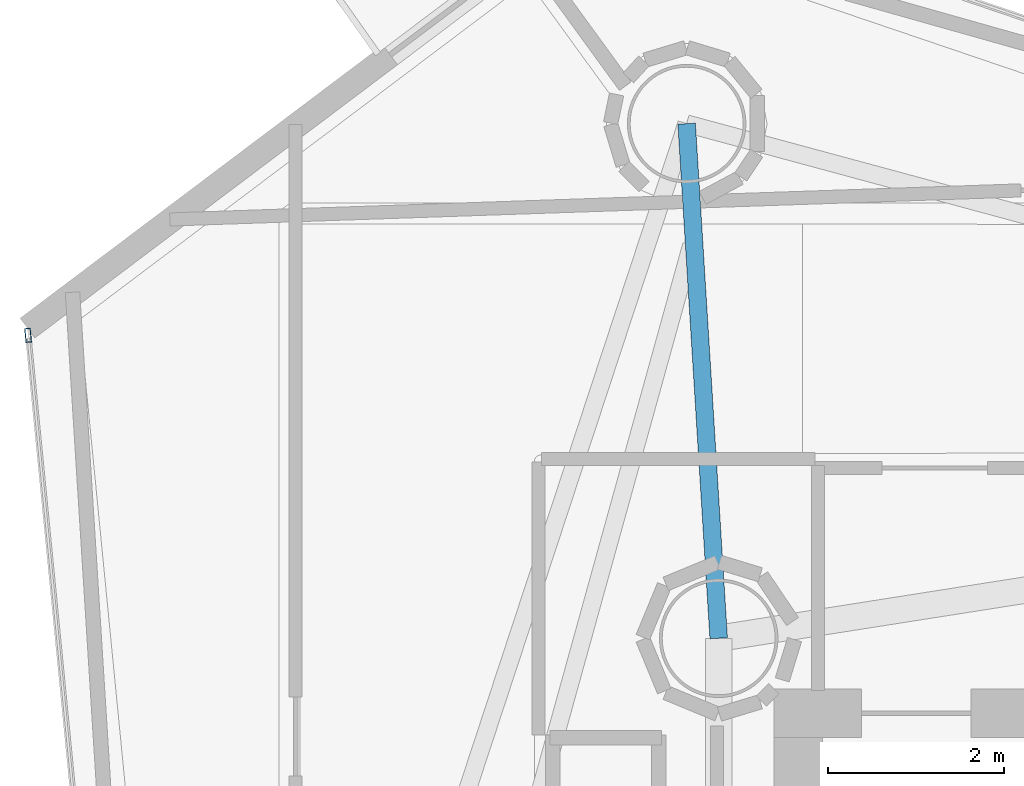
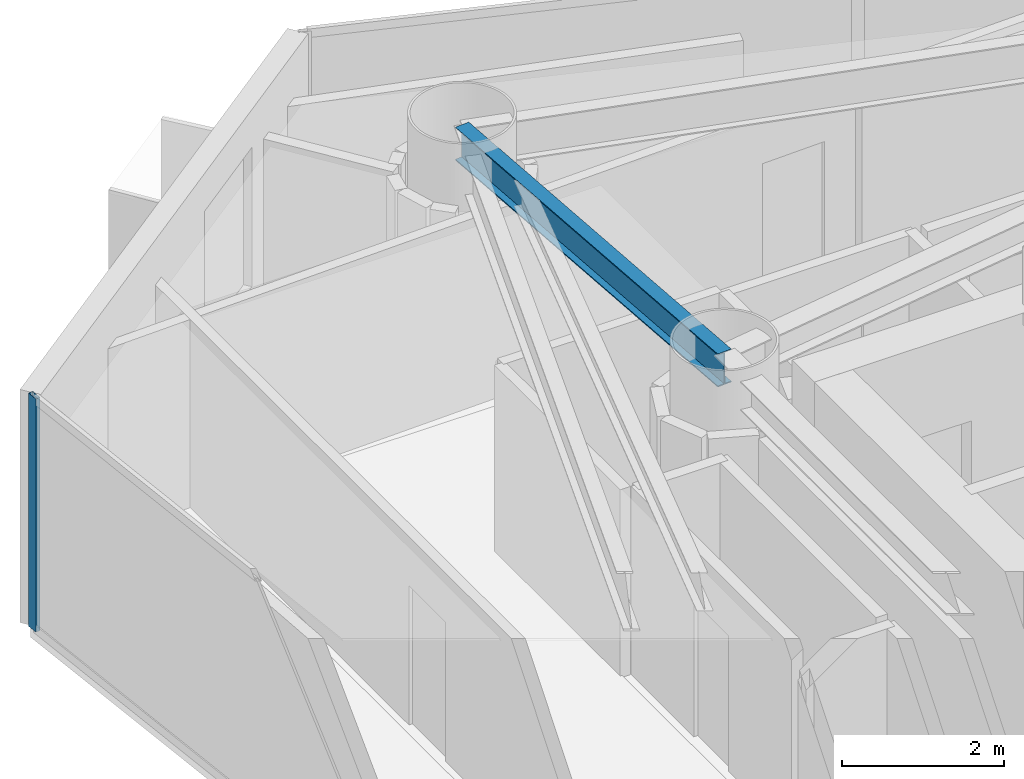
# One storey, part 11 of 22: 1 beam, 1 member, 1 element without a shape of its own.
"""IFC4 building model written with IfcOpenShell, lengths in metres."""

import ifcopenshell
import ifcopenshell.guid

model = None  # the IFC model being written
_history = None  # IfcOwnerHistory: only IFC2X3 demands one
_inside = {}  # id of a spatial element -> (the spatial element, [elements in it])
_under = {}  # id of a project, library or spatial element -> (it, [spatial elements below it])
_declared = {}  # id of a project -> (the project, [libraries it declares])
_typed = {}  # id of a type object -> (the type object, [elements of that type])
_made_of = {}  # id of a material, layer set ... -> (it, [elements and type objects made of it])


def new_model(schema):
    """Start an empty IFC model of exactly this schema.

    Asked for "IFC4X3", IfcOpenShell would pick the latest addendum, in which some entities
    have other attributes; the version numbers below select the first issue.
    IFC2X3 requires an IfcOwnerHistory on every rooted entity: one is made here for all.
    """
    global model, _history
    if schema == "IFC4X3":
        model = ifcopenshell.file(schema_version=(4, 3, 0, 0))
    else:
        model = ifcopenshell.file(schema=schema)
    _inside.clear()
    _under.clear()
    _declared.clear()
    _typed.clear()
    _made_of.clear()
    _history = None
    if model.schema == "IFC2X3":
        org = make("IfcOrganization", Name="unknown")
        user = make(
            "IfcPersonAndOrganization",
            ThePerson=make("IfcPerson", FamilyName="unknown"),
            TheOrganization=org,
        )
        app = make(
            "IfcApplication",
            ApplicationDeveloper=org,
            Version="unknown",
            ApplicationFullName="unknown",
            ApplicationIdentifier="unknown",
        )
        _history = make(
            "IfcOwnerHistory",
            OwningUser=user,
            OwningApplication=app,
            ChangeAction="ADDED",
            CreationDate=0,
        )
    return model


def make(cls, **values):
    """One entity of the class cls with the attributes given. An attribute that is None is left unset."""
    return model.create_entity(
        cls, **{name: value for name, value in values.items() if value is not None}
    )


def rooted(cls, **values):
    """An entity with a GlobalId (a new one), such as an element, a storey or a relation."""
    return make(cls, GlobalId=ifcopenshell.guid.new(), OwnerHistory=_history, **values)


def si_unit(unit_type, name, prefix=None):
    """IfcSIUnit, for example si_unit("LENGTHUNIT", "METRE", prefix="MILLI")."""
    return make("IfcSIUnit", UnitType=unit_type, Prefix=prefix, Name=name)


def assignment(units):
    """IfcUnitAssignment: the units of a project."""
    return None if units is None else make("IfcUnitAssignment", Units=units)


def point(xyz):
    """IfcCartesianPoint."""
    return None if xyz is None else make("IfcCartesianPoint", Coordinates=xyz)


def direction(xyz):
    """IfcDirection."""
    return None if xyz is None else make("IfcDirection", DirectionRatios=xyz)


def frame(location, z_axis=None, x_axis=None):
    """IfcAxis2Placement3D, a coordinate frame: its origin and axes. An axis left out is left unset."""
    return make(
        "IfcAxis2Placement3D",
        Location=point(location),
        Axis=direction(z_axis),
        RefDirection=direction(x_axis),
    )


def frame_2d(location, x_axis=None):
    """IfcAxis2Placement2D, a coordinate frame in the plane: its origin and x axis."""
    return make(
        "IfcAxis2Placement2D", Location=point(location), RefDirection=direction(x_axis)
    )


def origin():
    """The frame at (0, 0, 0) with its axes left unset."""
    return frame((0.0, 0.0, 0.0))


def origin_2d():
    """The frame at (0, 0) in the plane with its x axis left unset."""
    return frame_2d((0.0, 0.0))


def place(relative_to, where):
    """IfcLocalPlacement: puts the frame where relative to a parent placement (None: the world)."""
    return make(
        "IfcLocalPlacement", PlacementRelTo=relative_to, RelativePlacement=where
    )


def context(
    kind, dimensions, precision=None, world=None, true_north=None, identifier=None
):
    """IfcGeometricRepresentationContext, for example the 3D "Model" context."""
    return make(
        "IfcGeometricRepresentationContext",
        ContextIdentifier=identifier,
        ContextType=kind,
        CoordinateSpaceDimension=dimensions,
        Precision=precision,
        WorldCoordinateSystem=world,
        TrueNorth=true_north,
    )


def subcontext(parent, identifier, kind, view, scale=None):
    """IfcGeometricRepresentationSubContext, for example "Body" below "Model"."""
    return make(
        "IfcGeometricRepresentationSubContext",
        ContextIdentifier=identifier,
        ContextType=kind,
        ParentContext=parent,
        TargetScale=scale,
        TargetView=view,
    )


def project(units=None, contexts=None):
    """IfcProject with its units and contexts."""
    return rooted(
        "IfcProject",
        Name="project",
        RepresentationContexts=contexts,
        UnitsInContext=assignment(units),
    )


def spatial(cls, under=None, at=None, **own):
    """A site, building, storey or space (cls), placed at a placement, below another one or the project."""
    s = rooted(cls, ObjectPlacement=at, **own)
    if under is not None:
        _under.setdefault(under.id(), (under, []))[1].append(s)
    return s


def profile(cls, at=None, kind="AREA", **sizes):
    """A parametric profile (cls). Its sizes go by their IFC names, for example OverallWidth=200.0."""
    return make(cls, ProfileType=kind, Position=at, **sizes)


def hollow_rectangle(**sizes):
    """IfcRectangleHollowProfileDef."""
    return profile("IfcRectangleHollowProfileDef", **sizes)


def i_section(**sizes):
    """IfcIShapeProfileDef."""
    return profile("IfcIShapeProfileDef", **sizes)


def extrude(swept, where, along, depth):
    """IfcExtrudedAreaSolid: the profile swept, set in the frame where, extruded along a direction by depth."""
    return make(
        "IfcExtrudedAreaSolid",
        SweptArea=swept,
        Position=where,
        ExtrudedDirection=direction(along),
        Depth=depth,
    )


def shape(context_of_items, identifier, shape_type, items):
    """IfcShapeRepresentation: the items that make up one representation, for example the "Body"."""
    return make(
        "IfcShapeRepresentation",
        ContextOfItems=context_of_items,
        RepresentationIdentifier=identifier,
        RepresentationType=shape_type,
        Items=items,
    )


def material(Name=None, Category=None):
    """IfcMaterial."""
    return make("IfcMaterial", Name=Name, Category=Category)


def layer(
    of_material, thickness, ventilated=None, Name=None, Category=None, Priority=None
):
    """IfcMaterialLayer: one layer of a wall or slab, of a material (None: an air gap)."""
    return make(
        "IfcMaterialLayer",
        Material=of_material,
        LayerThickness=thickness,
        IsVentilated=ventilated,
        Name=Name,
        Category=Category,
        Priority=Priority,
    )


def layer_set(layers, Name=None):
    """IfcMaterialLayerSet."""
    return make("IfcMaterialLayerSet", MaterialLayers=layers, LayerSetName=Name)


def material_profile(
    of_material, cross_section, Name=None, Category=None, Priority=None
):
    """IfcMaterialProfile: a cross section and its material."""
    return make(
        "IfcMaterialProfile",
        Name=Name,
        Material=of_material,
        Profile=cross_section,
        Priority=Priority,
        Category=Category,
    )


def profile_set(profiles, Name=None, composite=None):
    """IfcMaterialProfileSet."""
    return make(
        "IfcMaterialProfileSet",
        Name=Name,
        MaterialProfiles=profiles,
        CompositeProfile=composite,
    )


def made_of(thing, what):
    """Note that an element or type object is made of a material, layer set ...; save() writes the relation."""
    if what is not None:
        _made_of.setdefault(what.id(), (what, []))[1].append(thing)
    return thing


def type_object(cls, material=None, **own):
    """A type object (cls), such as IfcWallType, which elements share."""
    return made_of(rooted(cls, **own), material)


def element(
    cls,
    number,
    at=None,
    inside=None,
    cuts=None,
    type_object=None,
    material=None,
    context=None,
    identifier="Body",
    shape_type=None,
    held_by="IfcProductDefinitionShape",
    body=None,
    shapes=None,
    **own,
):
    """One element of the class cls, such as IfcWall. Its Tag is "e" and its number.

    at: its placement. inside: the storey or other place that contains it. cuts: it is an
    opening in that element (IfcRelVoidsElement). A single representation is given by context,
    identifier, shape_type and body (its items); several are given by shapes. held_by: the class
    of the entity that holds the representations. save() writes the other relations.
    """
    e = rooted(cls, Tag="e%d" % number, ObjectPlacement=at, **own)
    if body is not None:
        shapes = [shape(context, identifier, shape_type, body)]
    if shapes is not None:
        e.Representation = make(held_by, Representations=shapes)
    if inside is not None:
        _inside.setdefault(inside.id(), (inside, []))[1].append(e)
    if cuts is not None:
        rooted(
            "IfcRelVoidsElement", RelatingBuildingElement=cuts, RelatedOpeningElement=e
        )
    if type_object is not None:
        _typed.setdefault(type_object.id(), (type_object, []))[1].append(e)
    return made_of(e, material)


def aggregate(whole, parts):
    """IfcRelAggregates: a whole, such as a stair, and the parts it consists of."""
    return rooted("IfcRelAggregates", RelatingObject=whole, RelatedObjects=parts)


def save(model, path):
    """Write the relations noted so far, then the file.

    IfcRelAggregates (storeys below a building ...), IfcRelContainedInSpatialStructure (elements
    in a storey), IfcRelDefinesByType, IfcRelAssociatesMaterial and IfcRelDeclares: one each for
    every whole, place, type object, material and project.
    """
    for whole, parts in _under.values():
        aggregate(whole, parts)
    for where, things in _inside.values():
        rooted(
            "IfcRelContainedInSpatialStructure",
            RelatedElements=things,
            RelatingStructure=where,
        )
    for kind, things in _typed.values():
        rooted("IfcRelDefinesByType", RelatedObjects=things, RelatingType=kind)
    for what, things in _made_of.values():
        rooted("IfcRelAssociatesMaterial", RelatedObjects=things, RelatingMaterial=what)
    for by, libraries in _declared.values():
        rooted("IfcRelDeclares", RelatingContext=by, RelatedDefinitions=libraries)
    model.write(path)


model = new_model("IFC4")

# Units and contexts
model_context = context("Model", 3, precision=1e-05, world=origin(), true_north=direction((0.0, 1.0)))
body_context = subcontext(model_context, "Body", "Model", "MODEL_VIEW")
ifc_project = project(units=[si_unit("LENGTHUNIT", "METRE"), si_unit("AREAUNIT", "SQUARE_METRE"), si_unit("VOLUMEUNIT", "CUBIC_METRE"), si_unit("PLANEANGLEUNIT", "RADIAN"), si_unit("MASSUNIT", "GRAM", prefix="KILO")], contexts=[model_context])

# Site, building, storey
site_placement = place(None, origin())
site = spatial("IfcSite", under=ifc_project, at=site_placement, CompositionType="ELEMENT")
building_placement = place(site_placement, origin())
building = spatial("IfcBuilding", under=site, at=building_placement, Name="Qianvela Tower", CompositionType="ELEMENT")
storey_placement = place(building_placement, frame((0.0, 0.0, 169.800048828125)))
storey = spatial("IfcBuildingStorey", under=building, at=storey_placement, Name="L43", CompositionType="ELEMENT", Elevation=169.800048828125)

# Beam
ifc_material_1 = material(Name="Steel Q355B", Category="steel")
ifc_material_profile_1 = material_profile(ifc_material_1, i_section(OverallWidth=0.199951171875, OverallDepth=0.5, WebThickness=0.010009765625, FlangeThickness=0.01611328125, at=origin_2d()), Name="HN500x200x10x16")
ifc_profile_set_1 = profile_set([ifc_material_profile_1], Name="Steel Q355B")
beam_type = type_object("IfcBeamType", Name="BM-HN500-GIRD", PredefinedType="BEAM", material=ifc_profile_set_1)
beam_placement = place(storey_placement, frame((28.60009765625, 33.550048828125, 3.26806640625), z_axis=(-0.0621556847, 0.998066466153, 0.0), x_axis=(-0.998066466153, -0.0621556847, 0.0)))
element("IfcBeam", 1, at=beam_placement, inside=storey, type_object=beam_type, Name="L43 Radial Primary Floor Girder 3", PredefinedType="BEAM", context=body_context, shape_type="SweptSolid", body=[
    extrude(i_section(OverallWidth=0.199951171875, OverallDepth=0.5, WebThickness=0.010009765625, FlangeThickness=0.01611328125, at=origin_2d()), origin(), (0.0, 0.0, 1.0), 5.872314453125),
])

# Curtain wall, member
ifc_material_2 = material(Name="Anodised Architectural Aluminium and Low-E Glass", Category="aluminium")
ifc_layer = layer(ifc_material_2, 0.169921875)
ifc_layer_set = layer_set([ifc_layer], Name="Anodised Architectural Aluminium and Low-E Glass")
curtain_wall_type = type_object("IfcCurtainWallType", Name="CW-COLIV-Z34", PredefinedType="USERDEFINED", material=ifc_layer_set)
curtain_wall_placement = place(storey_placement, origin())
curtain_wall = element("IfcCurtainWall", 2, at=curtain_wall_placement, inside=storey, type_object=curtain_wall_type, Name="L43 CW-COLIV-Z34 Curtain Wall 04A", ObjectType="CURTAIN_WALL_SYSTEM", PredefinedType="USERDEFINED")
ifc_material_3 = material(Name="Anodised Architectural Aluminium 6063-T6", Category="aluminium")
ifc_material_profile_2 = material_profile(ifc_material_3, hollow_rectangle(XDim=0.06494140625, YDim=0.159912109375, WallThickness=0.0048828125, at=origin_2d()), Name="ALU-MULL-65x160")
ifc_profile_set_2 = profile_set([ifc_material_profile_2], Name="Anodised Architectural Aluminium 6063-T6")
member_type = type_object("IfcMemberType", Name="CW-COLIV-Z34-MULL", PredefinedType="MULLION", material=ifc_profile_set_2)
member_placement = place(storey_placement, frame((20.73486328125, 37.000732421875, 0.0), z_axis=(0.0, 0.0, 1.0), x_axis=(0.99522685508, 0.09758845694, 0.0)))
member = element("IfcMember", 3, at=member_placement, type_object=member_type, Name="CW-4 mullion 1", PredefinedType="MULLION", context=body_context, shape_type="SweptSolid", body=[
    extrude(hollow_rectangle(XDim=0.06494140625, YDim=0.159912109375, WallThickness=0.0048828125, at=origin_2d()), origin(), (0.0, 0.0, 1.0), 3.52001953125),
])
aggregate(curtain_wall, [member])

save(model, "model.ifc")
